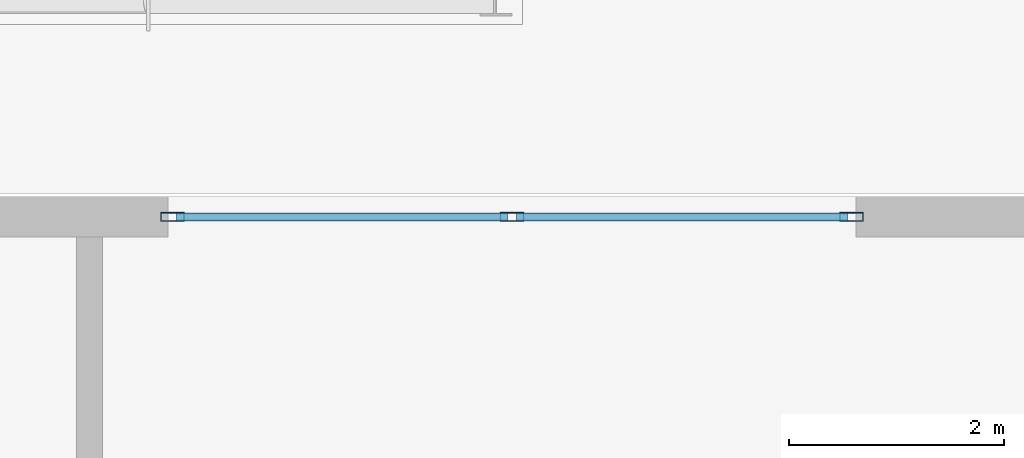
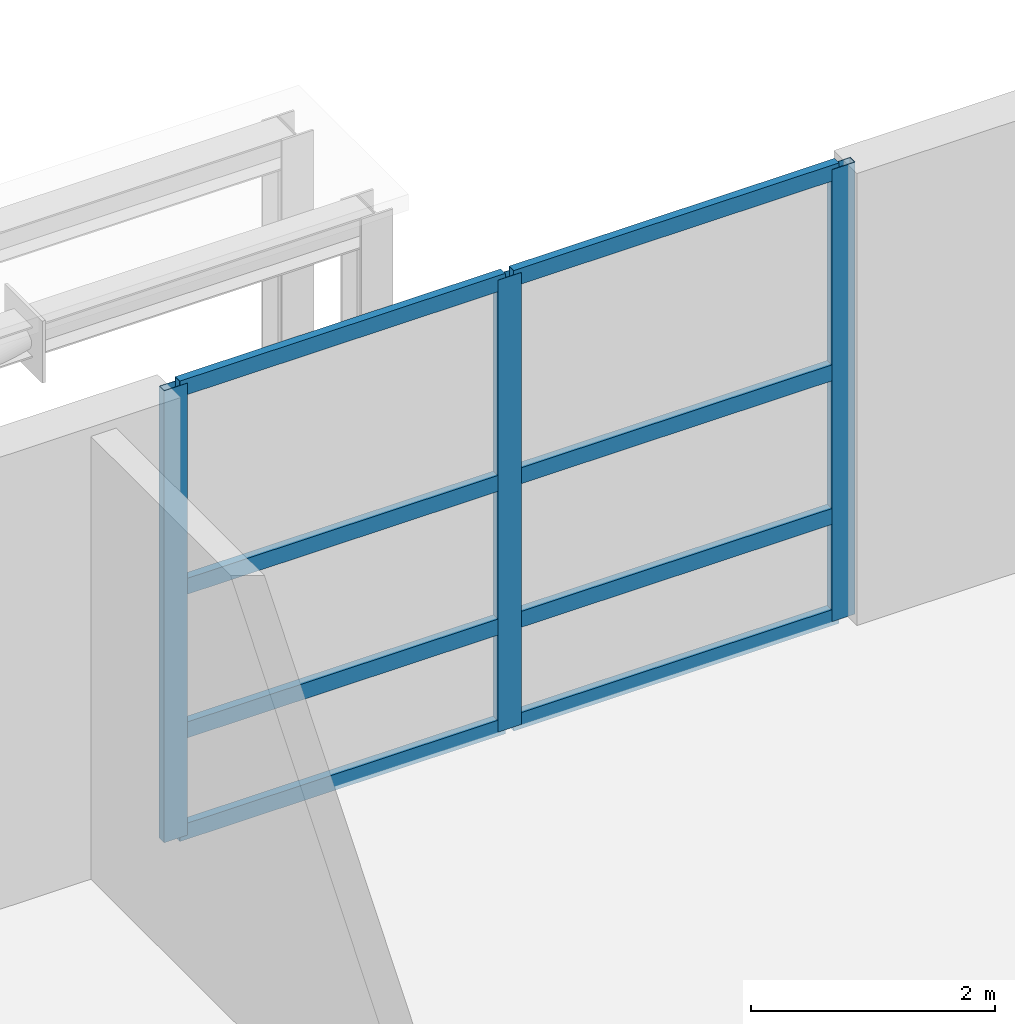
# One storey, part 8 of 22: 11 members, 1 element without a shape of its own.
"""IFC4 building model written with IfcOpenShell, lengths in metres."""

from ifc_helpers import new_model, si_unit, direction, frame, origin, origin_2d, place, context, subcontext, project, spatial, hollow_rectangle, extrude, source, transform, mapped, material, material_profile, profile_set, type_object, element, aggregate, save


model = new_model("IFC4")

# Units and contexts
model_context = context("Model", 3, precision=1e-05, world=origin(), true_north=direction((0.0, 1.0)))
body_context = subcontext(model_context, "Body", "Model", "MODEL_VIEW")
ifc_project = project(units=[si_unit("LENGTHUNIT", "METRE"), si_unit("AREAUNIT", "SQUARE_METRE"), si_unit("VOLUMEUNIT", "CUBIC_METRE"), si_unit("PLANEANGLEUNIT", "RADIAN"), si_unit("MASSUNIT", "GRAM", prefix="KILO")], contexts=[model_context])

# Site, building, storey
site_placement = place(None, origin())
site = spatial("IfcSite", under=ifc_project, at=site_placement, CompositionType="ELEMENT")
building_placement = place(site_placement, origin())
building = spatial("IfcBuilding", under=site, at=building_placement, Name="Olszyna Solenne Hotel", CompositionType="ELEMENT")
storey_placement = place(building_placement, origin())
storey = spatial("IfcBuildingStorey", under=building, at=storey_placement, Name="L00", CompositionType="ELEMENT", Elevation=0.0)

# Curtain wall, members
ifc_material = material(Name="Anodised bronze aluminium", Category="aluminium")
curtain_wall_type = type_object("IfcCurtainWallType", Name="CW-SYS-1", PredefinedType="NOTDEFINED", material=ifc_material)
curtain_wall_placement = place(storey_placement, origin())
curtain_wall = element("IfcCurtainWall", 1, at=curtain_wall_placement, inside=storey, type_object=curtain_wall_type, Name="Unitised curtain wall CW-SYS-1 CW-L00-02", PredefinedType="NOTDEFINED")
ifc_material_profile_1 = material_profile(ifc_material, hollow_rectangle(XDim=0.080078125, YDim=0.219970703125, WallThickness=0.0048828125, at=origin_2d()), Name="MULL 220x80x5", Category="load-bearing")
ifc_profile_set_1 = profile_set([ifc_material_profile_1], Name="Anodised bronze aluminium")
member_type_1 = type_object("IfcMemberType", Name="CW-M1", PredefinedType="MULLION", material=ifc_profile_set_1)
shared_shape_1 = source(origin(), body_context, "Body", "SweptSolid", [
    extrude(hollow_rectangle(XDim=0.080078125, YDim=0.219970703125, WallThickness=0.0048828125, at=origin_2d()), origin(), (0.0, 0.0, 1.0), 4.52197265625),
])
member_1_placement = place(storey_placement, frame((38.239990234375, 50.409912109375, 0.0), z_axis=(0.0, 0.0, 1.0), x_axis=(0.0, 1.0, 0.0)))
member_1 = element("IfcMember", 2, at=member_1_placement, type_object=member_type_1, Name="Curtain-wall mullion CW-M1 CM-L00-02-01", PredefinedType="MULLION", context=body_context, shape_type="MappedRepresentation", body=[
    mapped(shared_shape_1, transform((0.0, 0.0, 0.0), x_axis=(1.0, 0.0, 0.0), y_axis=(0.0, 1.0, 0.0), z_axis=(0.0, 0.0, 1.0), scale=1.0)),
])
member_2_placement = place(storey_placement, frame((41.39990234375, 50.409912109375, 0.0), z_axis=(0.0, 0.0, 1.0), x_axis=(0.0, 1.0, 0.0)))
member_2 = element("IfcMember", 3, at=member_2_placement, type_object=member_type_1, Name="Curtain-wall mullion CW-M1 CM-L00-02-02", PredefinedType="MULLION", context=body_context, shape_type="MappedRepresentation", body=[
    mapped(shared_shape_1, transform((0.0, 0.0, 0.0), x_axis=(1.0, 0.0, 0.0), y_axis=(0.0, 1.0, 0.0), z_axis=(0.0, 0.0, 1.0), scale=1.0)),
])
member_3_placement = place(storey_placement, frame((44.56005859375, 50.409912109375, 0.0), z_axis=(0.0, 0.0, 1.0), x_axis=(0.0, 1.0, 0.0)))
member_3 = element("IfcMember", 4, at=member_3_placement, type_object=member_type_1, Name="Curtain-wall mullion CW-M1 CM-L00-02-03", PredefinedType="MULLION", context=body_context, shape_type="MappedRepresentation", body=[
    mapped(shared_shape_1, transform((0.0, 0.0, 0.0), x_axis=(1.0, 0.0, 0.0), y_axis=(0.0, 1.0, 0.0), z_axis=(0.0, 0.0, 1.0), scale=1.0)),
])
ifc_material_profile_2 = material_profile(ifc_material, hollow_rectangle(XDim=0.074951171875, YDim=0.159912109375, WallThickness=0.00390625, at=origin_2d()), Name="TRAN 160x75x4", Category="load-bearing")
ifc_profile_set_2 = profile_set([ifc_material_profile_2], Name="Anodised bronze aluminium")
member_type_2 = type_object("IfcMemberType", Name="CW-T1", PredefinedType="USERDEFINED", material=ifc_profile_set_2)
shared_shape_2 = source(origin(), body_context, "Body", "SweptSolid", [
    extrude(hollow_rectangle(XDim=0.074951171875, YDim=0.159912109375, WallThickness=0.00390625, at=origin_2d()), origin(), (0.0, 0.0, 1.0), 3.080078125),
])
member_4_placement = place(storey_placement, frame((38.280029296875, 50.409912109375, 0.03759765625), z_axis=(1.0, 0.0, 0.0), x_axis=(0.0, 1.0, 0.0)))
member_4 = element("IfcMember", 5, at=member_4_placement, type_object=member_type_2, Name="Curtain-wall transom CW-T1 CT-L00-02-01", ObjectType="TRANSOM", PredefinedType="USERDEFINED", context=body_context, shape_type="MappedRepresentation", body=[
    mapped(shared_shape_2, transform((0.0, 0.0, 0.0), x_axis=(1.0, 0.0, 0.0), y_axis=(0.0, 1.0, 0.0), z_axis=(0.0, 0.0, 1.0), scale=1.0)),
])
member_5_placement = place(storey_placement, frame((38.280029296875, 50.409912109375, 1.050048828125), z_axis=(1.0, 0.0, 0.0), x_axis=(0.0, 1.0, 0.0)))
member_5 = element("IfcMember", 6, at=member_5_placement, type_object=member_type_2, Name="Curtain-wall transom CW-T1 CT-L00-02-02", ObjectType="TRANSOM", PredefinedType="USERDEFINED", context=body_context, shape_type="MappedRepresentation", body=[
    mapped(shared_shape_2, transform((0.0, 0.0, 0.0), x_axis=(1.0, 0.0, 0.0), y_axis=(0.0, 1.0, 0.0), z_axis=(0.0, 0.0, 1.0), scale=1.0)),
])
member_6_placement = place(storey_placement, frame((38.280029296875, 50.409912109375, 2.487060546875), z_axis=(1.0, 0.0, 0.0), x_axis=(0.0, 1.0, 0.0)))
member_6 = element("IfcMember", 7, at=member_6_placement, type_object=member_type_2, Name="Curtain-wall transom CW-T1 CT-L00-02-03", ObjectType="TRANSOM", PredefinedType="USERDEFINED", context=body_context, shape_type="MappedRepresentation", body=[
    mapped(shared_shape_2, transform((0.0, 0.0, 0.0), x_axis=(1.0, 0.0, 0.0), y_axis=(0.0, 1.0, 0.0), z_axis=(0.0, 0.0, 1.0), scale=1.0)),
])
member_7_placement = place(storey_placement, frame((38.280029296875, 50.409912109375, 4.484619140625), z_axis=(1.0, 0.0, 0.0), x_axis=(0.0, 1.0, 0.0)))
member_7 = element("IfcMember", 8, at=member_7_placement, type_object=member_type_2, Name="Curtain-wall transom CW-T1 CT-L00-02-04", ObjectType="TRANSOM", PredefinedType="USERDEFINED", context=body_context, shape_type="MappedRepresentation", body=[
    mapped(shared_shape_2, transform((0.0, 0.0, 0.0), x_axis=(1.0, 0.0, 0.0), y_axis=(0.0, 1.0, 0.0), z_axis=(0.0, 0.0, 1.0), scale=1.0)),
])
member_8_placement = place(storey_placement, frame((41.43994140625, 50.409912109375, 0.03759765625), z_axis=(1.0, 0.0, 0.0), x_axis=(0.0, 1.0, 0.0)))
member_8 = element("IfcMember", 9, at=member_8_placement, type_object=member_type_2, Name="Curtain-wall transom CW-T1 CT-L00-02-05", ObjectType="TRANSOM", PredefinedType="USERDEFINED", context=body_context, shape_type="MappedRepresentation", body=[
    mapped(shared_shape_2, transform((0.0, 0.0, 0.0), x_axis=(1.0, 0.0, 0.0), y_axis=(0.0, 1.0, 0.0), z_axis=(0.0, 0.0, 1.0), scale=1.0)),
])
member_9_placement = place(storey_placement, frame((41.43994140625, 50.409912109375, 1.050048828125), z_axis=(1.0, 0.0, 0.0), x_axis=(0.0, 1.0, 0.0)))
member_9 = element("IfcMember", 10, at=member_9_placement, type_object=member_type_2, Name="Curtain-wall transom CW-T1 CT-L00-02-06", ObjectType="TRANSOM", PredefinedType="USERDEFINED", context=body_context, shape_type="MappedRepresentation", body=[
    mapped(shared_shape_2, transform((0.0, 0.0, 0.0), x_axis=(1.0, 0.0, 0.0), y_axis=(0.0, 1.0, 0.0), z_axis=(0.0, 0.0, 1.0), scale=1.0)),
])
member_10_placement = place(storey_placement, frame((41.43994140625, 50.409912109375, 2.487060546875), z_axis=(1.0, 0.0, 0.0), x_axis=(0.0, 1.0, 0.0)))
member_10 = element("IfcMember", 11, at=member_10_placement, type_object=member_type_2, Name="Curtain-wall transom CW-T1 CT-L00-02-07", ObjectType="TRANSOM", PredefinedType="USERDEFINED", context=body_context, shape_type="MappedRepresentation", body=[
    mapped(shared_shape_2, transform((0.0, 0.0, 0.0), x_axis=(1.0, 0.0, 0.0), y_axis=(0.0, 1.0, 0.0), z_axis=(0.0, 0.0, 1.0), scale=1.0)),
])
member_11_placement = place(storey_placement, frame((41.43994140625, 50.409912109375, 4.484619140625), z_axis=(1.0, 0.0, 0.0), x_axis=(0.0, 1.0, 0.0)))
member_11 = element("IfcMember", 12, at=member_11_placement, type_object=member_type_2, Name="Curtain-wall transom CW-T1 CT-L00-02-08", ObjectType="TRANSOM", PredefinedType="USERDEFINED", context=body_context, shape_type="MappedRepresentation", body=[
    mapped(shared_shape_2, transform((0.0, 0.0, 0.0), x_axis=(1.0, 0.0, 0.0), y_axis=(0.0, 1.0, 0.0), z_axis=(0.0, 0.0, 1.0), scale=1.0)),
])
aggregate(curtain_wall, [member_1, member_2, member_3, member_4, member_5, member_6, member_7, member_8, member_9, member_10, member_11])

save(model, "model.ifc")
